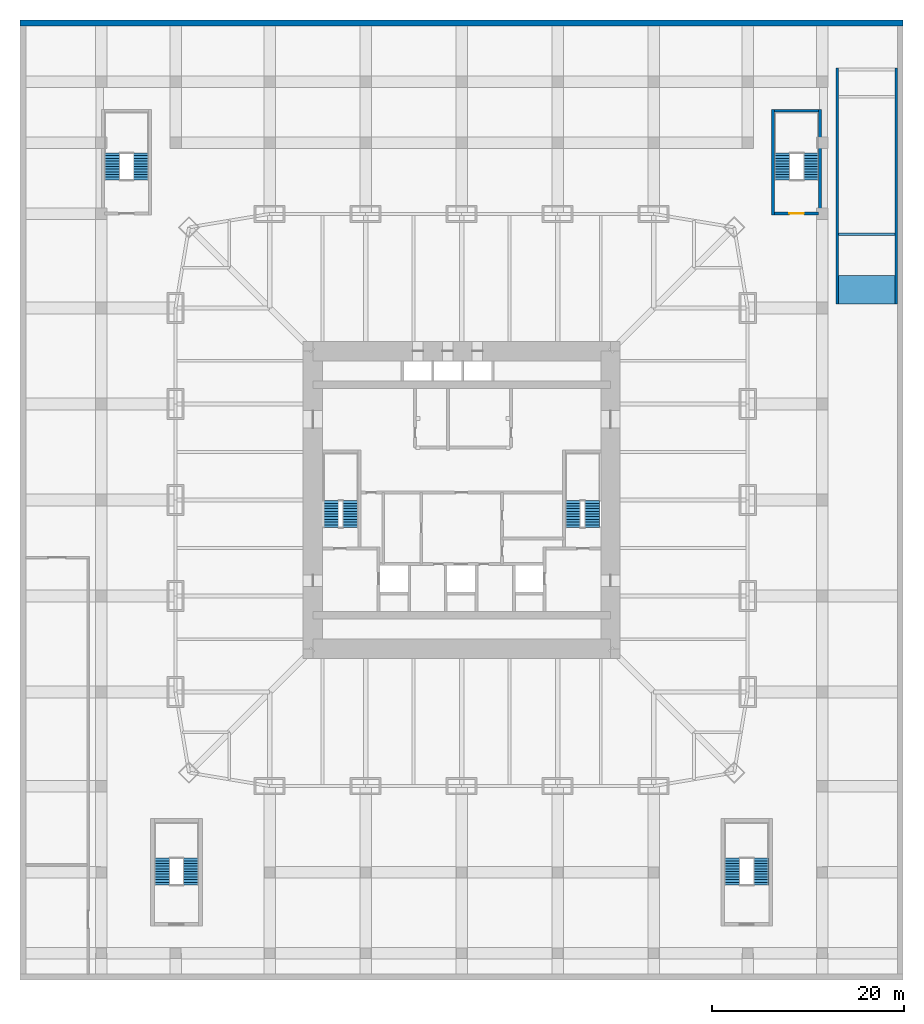
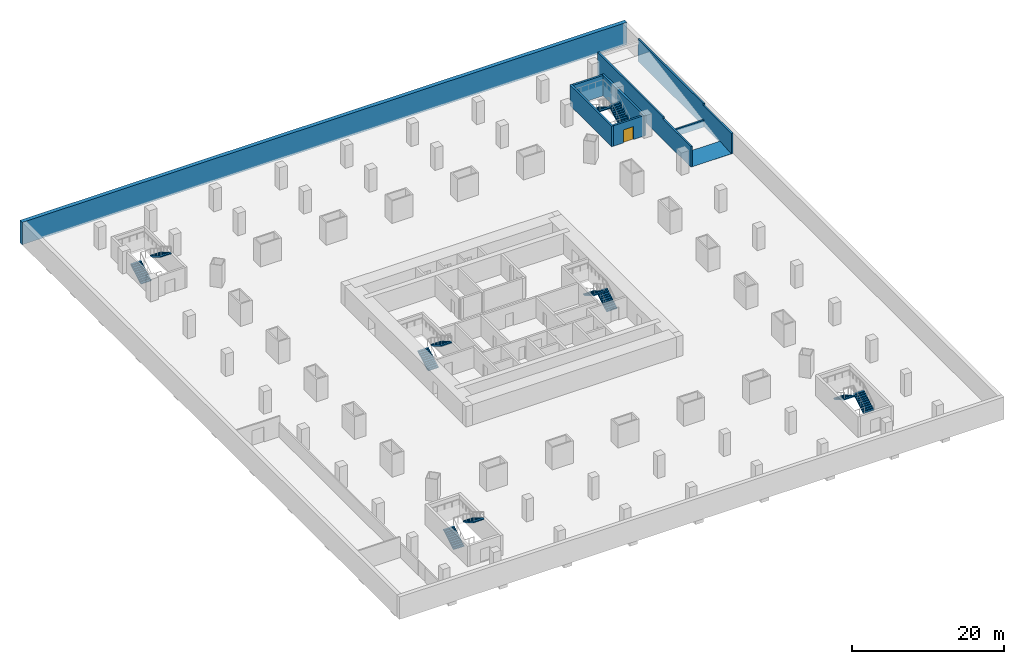
# One storey, part 9 of 11: 12 stair flights, 8 walls, 1 door, 1 ramp flight, 1 opening, 7 elements without a shape of their own.
"""IFC4 building model written with IfcOpenShell, lengths in metres."""

import ifcopenshell
import ifcopenshell.guid

model = None  # the IFC model being written
_history = None  # IfcOwnerHistory: only IFC2X3 demands one
_inside = {}  # id of a spatial element -> (the spatial element, [elements in it])
_under = {}  # id of a project, library or spatial element -> (it, [spatial elements below it])
_declared = {}  # id of a project -> (the project, [libraries it declares])
_typed = {}  # id of a type object -> (the type object, [elements of that type])
_made_of = {}  # id of a material, layer set ... -> (it, [elements and type objects made of it])


def new_model(schema):
    """Start an empty IFC model of exactly this schema.

    Asked for "IFC4X3", IfcOpenShell would pick the latest addendum, in which some entities
    have other attributes; the version numbers below select the first issue.
    IFC2X3 requires an IfcOwnerHistory on every rooted entity: one is made here for all.
    """
    global model, _history
    if schema == "IFC4X3":
        model = ifcopenshell.file(schema_version=(4, 3, 0, 0))
    else:
        model = ifcopenshell.file(schema=schema)
    _inside.clear()
    _under.clear()
    _declared.clear()
    _typed.clear()
    _made_of.clear()
    _history = None
    if model.schema == "IFC2X3":
        org = make("IfcOrganization", Name="unknown")
        user = make(
            "IfcPersonAndOrganization",
            ThePerson=make("IfcPerson", FamilyName="unknown"),
            TheOrganization=org,
        )
        app = make(
            "IfcApplication",
            ApplicationDeveloper=org,
            Version="unknown",
            ApplicationFullName="unknown",
            ApplicationIdentifier="unknown",
        )
        _history = make(
            "IfcOwnerHistory",
            OwningUser=user,
            OwningApplication=app,
            ChangeAction="ADDED",
            CreationDate=0,
        )
    return model


def make(cls, **values):
    """One entity of the class cls with the attributes given. An attribute that is None is left unset."""
    return model.create_entity(
        cls, **{name: value for name, value in values.items() if value is not None}
    )


def rooted(cls, **values):
    """An entity with a GlobalId (a new one), such as an element, a storey or a relation."""
    return make(cls, GlobalId=ifcopenshell.guid.new(), OwnerHistory=_history, **values)


def si_unit(unit_type, name, prefix=None):
    """IfcSIUnit, for example si_unit("LENGTHUNIT", "METRE", prefix="MILLI")."""
    return make("IfcSIUnit", UnitType=unit_type, Prefix=prefix, Name=name)


def assignment(units):
    """IfcUnitAssignment: the units of a project."""
    return None if units is None else make("IfcUnitAssignment", Units=units)


def point(xyz):
    """IfcCartesianPoint."""
    return None if xyz is None else make("IfcCartesianPoint", Coordinates=xyz)


def direction(xyz):
    """IfcDirection."""
    return None if xyz is None else make("IfcDirection", DirectionRatios=xyz)


def frame(location, z_axis=None, x_axis=None):
    """IfcAxis2Placement3D, a coordinate frame: its origin and axes. An axis left out is left unset."""
    return make(
        "IfcAxis2Placement3D",
        Location=point(location),
        Axis=direction(z_axis),
        RefDirection=direction(x_axis),
    )


def frame_2d(location, x_axis=None):
    """IfcAxis2Placement2D, a coordinate frame in the plane: its origin and x axis."""
    return make(
        "IfcAxis2Placement2D", Location=point(location), RefDirection=direction(x_axis)
    )


def origin():
    """The frame at (0, 0, 0) with its axes left unset."""
    return frame((0.0, 0.0, 0.0))


def place(relative_to, where):
    """IfcLocalPlacement: puts the frame where relative to a parent placement (None: the world)."""
    return make(
        "IfcLocalPlacement", PlacementRelTo=relative_to, RelativePlacement=where
    )


def context(
    kind, dimensions, precision=None, world=None, true_north=None, identifier=None
):
    """IfcGeometricRepresentationContext, for example the 3D "Model" context."""
    return make(
        "IfcGeometricRepresentationContext",
        ContextIdentifier=identifier,
        ContextType=kind,
        CoordinateSpaceDimension=dimensions,
        Precision=precision,
        WorldCoordinateSystem=world,
        TrueNorth=true_north,
    )


def subcontext(parent, identifier, kind, view, scale=None):
    """IfcGeometricRepresentationSubContext, for example "Body" below "Model"."""
    return make(
        "IfcGeometricRepresentationSubContext",
        ContextIdentifier=identifier,
        ContextType=kind,
        ParentContext=parent,
        TargetScale=scale,
        TargetView=view,
    )


def project(units=None, contexts=None):
    """IfcProject with its units and contexts."""
    return rooted(
        "IfcProject",
        Name="project",
        RepresentationContexts=contexts,
        UnitsInContext=assignment(units),
    )


def spatial(cls, under=None, at=None, **own):
    """A site, building, storey or space (cls), placed at a placement, below another one or the project."""
    s = rooted(cls, ObjectPlacement=at, **own)
    if under is not None:
        _under.setdefault(under.id(), (under, []))[1].append(s)
    return s


def polyline(points):
    """IfcPolyline through the points."""
    return make("IfcPolyline", Points=[point(p) for p in points])


def profile(cls, at=None, kind="AREA", **sizes):
    """A parametric profile (cls). Its sizes go by their IFC names, for example OverallWidth=200.0."""
    return make(cls, ProfileType=kind, Position=at, **sizes)


def rectangle(**sizes):
    """IfcRectangleProfileDef."""
    return profile("IfcRectangleProfileDef", **sizes)


def outline(outer, holes=None, kind="AREA"):
    """IfcArbitraryClosedProfileDef: a profile drawn as a closed curve; with holes, ...WithVoids."""
    if holes is None:
        return make("IfcArbitraryClosedProfileDef", ProfileType=kind, OuterCurve=outer)
    return make(
        "IfcArbitraryProfileDefWithVoids",
        ProfileType=kind,
        OuterCurve=outer,
        InnerCurves=holes,
    )


def extrude(swept, where, along, depth):
    """IfcExtrudedAreaSolid: the profile swept, set in the frame where, extruded along a direction by depth."""
    return make(
        "IfcExtrudedAreaSolid",
        SweptArea=swept,
        Position=where,
        ExtrudedDirection=direction(along),
        Depth=depth,
    )


def shape(context_of_items, identifier, shape_type, items):
    """IfcShapeRepresentation: the items that make up one representation, for example the "Body"."""
    return make(
        "IfcShapeRepresentation",
        ContextOfItems=context_of_items,
        RepresentationIdentifier=identifier,
        RepresentationType=shape_type,
        Items=items,
    )


def material(Name=None, Category=None):
    """IfcMaterial."""
    return make("IfcMaterial", Name=Name, Category=Category)


def layer(
    of_material, thickness, ventilated=None, Name=None, Category=None, Priority=None
):
    """IfcMaterialLayer: one layer of a wall or slab, of a material (None: an air gap)."""
    return make(
        "IfcMaterialLayer",
        Material=of_material,
        LayerThickness=thickness,
        IsVentilated=ventilated,
        Name=Name,
        Category=Category,
        Priority=Priority,
    )


def layer_set(layers, Name=None):
    """IfcMaterialLayerSet."""
    return make("IfcMaterialLayerSet", MaterialLayers=layers, LayerSetName=Name)


def made_of(thing, what):
    """Note that an element or type object is made of a material, layer set ...; save() writes the relation."""
    if what is not None:
        _made_of.setdefault(what.id(), (what, []))[1].append(thing)
    return thing


def type_object(cls, material=None, **own):
    """A type object (cls), such as IfcWallType, which elements share."""
    return made_of(rooted(cls, **own), material)


def element(
    cls,
    number,
    at=None,
    inside=None,
    cuts=None,
    type_object=None,
    material=None,
    context=None,
    identifier="Body",
    shape_type=None,
    held_by="IfcProductDefinitionShape",
    body=None,
    shapes=None,
    **own,
):
    """One element of the class cls, such as IfcWall. Its Tag is "e" and its number.

    at: its placement. inside: the storey or other place that contains it. cuts: it is an
    opening in that element (IfcRelVoidsElement). A single representation is given by context,
    identifier, shape_type and body (its items); several are given by shapes. held_by: the class
    of the entity that holds the representations. save() writes the other relations.
    """
    e = rooted(cls, Tag="e%d" % number, ObjectPlacement=at, **own)
    if body is not None:
        shapes = [shape(context, identifier, shape_type, body)]
    if shapes is not None:
        e.Representation = make(held_by, Representations=shapes)
    if inside is not None:
        _inside.setdefault(inside.id(), (inside, []))[1].append(e)
    if cuts is not None:
        rooted(
            "IfcRelVoidsElement", RelatingBuildingElement=cuts, RelatedOpeningElement=e
        )
    if type_object is not None:
        _typed.setdefault(type_object.id(), (type_object, []))[1].append(e)
    return made_of(e, material)


def fill(opening, filler):
    """IfcRelFillsElement: the door or window that sits in an opening."""
    return rooted(
        "IfcRelFillsElement",
        RelatingOpeningElement=opening,
        RelatedBuildingElement=filler,
    )


def aggregate(whole, parts):
    """IfcRelAggregates: a whole, such as a stair, and the parts it consists of."""
    return rooted("IfcRelAggregates", RelatingObject=whole, RelatedObjects=parts)


def save(model, path):
    """Write the relations noted so far, then the file.

    IfcRelAggregates (storeys below a building ...), IfcRelContainedInSpatialStructure (elements
    in a storey), IfcRelDefinesByType, IfcRelAssociatesMaterial and IfcRelDeclares: one each for
    every whole, place, type object, material and project.
    """
    for whole, parts in _under.values():
        aggregate(whole, parts)
    for where, things in _inside.values():
        rooted(
            "IfcRelContainedInSpatialStructure",
            RelatedElements=things,
            RelatingStructure=where,
        )
    for kind, things in _typed.values():
        rooted("IfcRelDefinesByType", RelatedObjects=things, RelatingType=kind)
    for what, things in _made_of.values():
        rooted("IfcRelAssociatesMaterial", RelatedObjects=things, RelatingMaterial=what)
    for by, libraries in _declared.values():
        rooted("IfcRelDeclares", RelatingContext=by, RelatedDefinitions=libraries)
    model.write(path)


model = new_model("IFC4")

# Units and contexts
model_context = context("Model", 3, precision=1e-05, world=origin(), true_north=direction((0.0, 1.0)))
body_context = subcontext(model_context, "Body", "Model", "MODEL_VIEW")
ifc_project = project(units=[si_unit("LENGTHUNIT", "METRE"), si_unit("AREAUNIT", "SQUARE_METRE"), si_unit("VOLUMEUNIT", "CUBIC_METRE"), si_unit("PLANEANGLEUNIT", "RADIAN"), si_unit("MASSUNIT", "GRAM", prefix="KILO")], contexts=[model_context])

# Site, building, storey
site_placement = place(None, origin())
site = spatial("IfcSite", under=ifc_project, at=site_placement, CompositionType="ELEMENT")
building_placement = place(site_placement, origin())
building = spatial("IfcBuilding", under=site, at=building_placement, Name="Khuree Lantern Residences", CompositionType="ELEMENT")
storey_placement = place(building_placement, frame((0.0, 0.0, -9.0)))
storey = spatial("IfcBuildingStorey", under=building, at=storey_placement, Name="B2", CompositionType="ELEMENT", Elevation=-9.0)

# Walls
ifc_material_1 = material(Name="Concrete C40/50", Category="concrete")
ifc_layer_1 = layer(ifc_material_1, 0.25)
ifc_layer_set_1 = layer_set([ifc_layer_1], Name="RAMP WALL RA 250")
wall_type_1 = type_object("IfcWallType", Name="RAMP WALL RA 250", PredefinedType="SOLIDWALL", material=ifc_layer_set_1)
for number, where, z_axis, x_axis, name in (
    (1, (39.125, 20.39990234375, 0.0), (0.0, 0.0, 1.0), (0.0, 1.0, 0.0), "Car park ramp, B1 to B2 side wall"),
    (2, (45.27490234375, 20.39990234375, 0.0), (0.0, 0.0, 1.0), (0.0, 1.0, 0.0), "Car park ramp, B1 to B2 side wall"),
):
    element("IfcWall", number, at=place(storey_placement, frame(where, z_axis=z_axis, x_axis=x_axis)), inside=storey, type_object=wall_type_1, Name=name, PredefinedType="SOLIDWALL", context=body_context, shape_type="SweptSolid", body=[
        extrude(outline(polyline([(0.0, 0.0), (24.60009765625, 0.0), (24.60009765625, 3.60009765625), (7.39990234375, 3.60009765625), (7.39990234375, 3.300048828125), (0.0, 3.300048828125), (0.0, 0.0)])), frame((0.0, 0.125, 0.0), z_axis=(0.0, -1.0, 0.0), x_axis=(1.0, 0.0, 0.0)), (0.0, 0.0, 1.0), 0.25),
    ])
wall_1_placement = place(storey_placement, frame((39.25, 27.675048828125, 0.0), z_axis=(0.0, 0.0, 1.0), x_axis=(1.0, 0.0, 0.0)))
element("IfcWall", 3, at=wall_1_placement, inside=storey, type_object=wall_type_1, Name="Ramp upstand S", PredefinedType="SOLIDWALL", context=body_context, shape_type="SweptSolid", body=[
    extrude(rectangle(XDim=5.89990234375, YDim=0.25, at=frame_2d((2.949951171875, 0.0))), origin(), (0.0, 0.0, 1.0), 1.10009765625),
])
ifc_layer_2 = layer(ifc_material_1, 0.60009765625)
ifc_layer_set_2 = layer_set([ifc_layer_2], Name="RW1 BASEMENT RETAINING WALL 600")
wall_type_2 = type_object("IfcWallType", Name="RW1 BASEMENT RETAINING WALL 600", PredefinedType="SOLIDWALL", material=ifc_layer_set_2)
wall_2_placement = place(storey_placement, frame((-46.0, 49.699951171875, -0.300048828125), z_axis=(0.0, 0.0, 1.0), x_axis=(1.0, 0.0, 0.0)))
element("IfcWall", 4, at=wall_2_placement, inside=storey, type_object=wall_type_2, Name="Retaining wall N", PredefinedType="SOLIDWALL", context=body_context, shape_type="SweptSolid", body=[
    extrude(rectangle(XDim=92.0, YDim=0.60009765625, at=frame_2d((46.0, 0.0))), origin(), (0.0, 0.0, 1.0), 3.60009765625),
])
ifc_material_2 = material(Name="Concrete C50/60", Category="concrete")
ifc_layer_3 = layer(ifc_material_2, 0.300048828125)
ifc_layer_set_3 = layer_set([ifc_layer_3], Name="STAIR WALL SRW300 C50/60 REI 240")
wall_type_3 = type_object("IfcWallType", Name="STAIR WALL SRW300 C50/60 REI 240", PredefinedType="SOLIDWALL", material=ifc_layer_set_3)
wall_3_placement = place(storey_placement, frame((37.35009765625, 29.699951171875, 0.0), z_axis=(0.0, 0.0, 1.0), x_axis=(0.0, 1.0, 0.0)))
element("IfcWall", 5, at=wall_3_placement, inside=storey, type_object=wall_type_3, Name="B2 STAIR ST4 WALL O", PredefinedType="SOLIDWALL", context=body_context, shape_type="SweptSolid", body=[
    extrude(rectangle(XDim=11.0, YDim=0.300048828125, at=frame_2d((5.5, 0.0))), origin(), (0.0, 0.0, 1.0), 3.300048828125),
])

# Wall, opening, door
wall_4_placement = place(storey_placement, frame((37.199951171875, 29.85009765625, 0.0), z_axis=(0.0, 0.0, 1.0), x_axis=(-1.0, 0.0, 0.0)))
wall_4 = element("IfcWall", 6, at=wall_4_placement, inside=storey, type_object=wall_type_3, Name="B2 STAIR ST4 WALL S", PredefinedType="SOLIDWALL", context=body_context, shape_type="SweptSolid", body=[
    extrude(rectangle(XDim=4.599853515625, YDim=0.300048828125, at=frame_2d((2.2998046875, 0.0))), origin(), (0.0, 0.0, 1.0), 3.300048828125),
])
opening_placement = place(wall_4_placement, frame((1.550048828125, 0.0, 0.0)))
opening = element("IfcOpeningElement", 7, at=opening_placement, cuts=wall_4, Name="Opening B2-025", PredefinedType="OPENING", context=body_context, shape_type="SweptSolid", body=[
    extrude(rectangle(XDim=1.5, YDim=2.10009765625, at=frame_2d((0.75, 1.050048828125))), frame((0.0, 0.16015625, 0.0), z_axis=(0.0, -1.0, 0.0), x_axis=(1.0, 0.0, 0.0)), (0.0, 0.0, 1.0), 0.320068359375),
])
ifc_material_3 = material(Name="Steel door leaf in steel frame", Category="steel")
door_type = type_object("IfcDoorType", Name="STAIR DOOR 1500X2100 EI 120", OperationType="DOUBLE_DOOR_SINGLE_SWING", PredefinedType="DOOR", material=ifc_material_3)
door_placement = place(opening_placement, origin())
door = element("IfcDoor", 8, at=door_placement, inside=storey, type_object=door_type, Name="Stair ST4 door B2-025", OperationType="DOUBLE_DOOR_SINGLE_SWING", OverallHeight=2.10009765625, OverallWidth=1.5, PredefinedType="DOOR", context=body_context, shape_type="SweptSolid", body=[
    extrude(rectangle(XDim=1.5, YDim=2.10009765625, at=frame_2d((0.75, 1.050048828125))), frame((0.0, 0.02490234375, 0.0), z_axis=(0.0, -1.0, 0.0), x_axis=(1.0, 0.0, 0.0)), (0.0, 0.0, 1.0), 0.050048828125),
])
fill(opening, door)

# Walls
wall_5_placement = place(storey_placement, frame((32.449951171875, 29.699951171875, 0.0), z_axis=(0.0, 0.0, 1.0), x_axis=(0.0, 1.0, 0.0)))
element("IfcWall", 9, at=wall_5_placement, inside=storey, type_object=wall_type_3, Name="B2 STAIR ST4 WALL I", PredefinedType="SOLIDWALL", context=body_context, shape_type="SweptSolid", body=[
    extrude(rectangle(XDim=11.0, YDim=0.300048828125, at=frame_2d((5.5, 0.0))), origin(), (0.0, 0.0, 1.0), 3.300048828125),
])
wall_6_placement = place(storey_placement, frame((37.199951171875, 40.550048828125, 0.0), z_axis=(0.0, 0.0, 1.0), x_axis=(-1.0, 0.0, 0.0)))
element("IfcWall", 10, at=wall_6_placement, inside=storey, type_object=wall_type_3, Name="B2 STAIR ST4 WALL N", PredefinedType="SOLIDWALL", context=body_context, shape_type="SweptSolid", body=[
    extrude(rectangle(XDim=4.599853515625, YDim=0.300048828125, at=frame_2d((2.2998046875, 0.0))), origin(), (0.0, 0.0, 1.0), 3.300048828125),
])

# Stair, stair flights
stair_type_1 = type_object("IfcStairType", Name="STAIR ST1 HALF TURN 3600", PredefinedType="HALF_TURN_STAIR", material=ifc_material_1)
stair_1_placement = place(storey_placement, origin())
stair_1 = element("IfcStair", 11, at=stair_1_placement, inside=storey, type_object=stair_type_1, Name="Stair ST1", PredefinedType="HALF_TURN_STAIR")
stair_flight_type = type_object("IfcStairFlightType", Name="STAIR FLIGHT SF1 1600", PredefinedType="STRAIGHT", material=ifc_material_1)
stair_flight_1_placement = place(storey_placement, frame((-13.60009765625, -2.860107421875, 0.0), z_axis=(0.0, 0.0, 1.0), x_axis=(0.0, 1.0, 0.0)))
stair_flight_1 = element("IfcStairFlight", 12, at=stair_flight_1_placement, type_object=stair_flight_type, Name="ST1 flight 1", NumberOfRisers=11, NumberOfTreads=10, PredefinedType="STRAIGHT", RiserHeight=0.163636364, TreadLength=0.28, context=body_context, shape_type="SweptSolid", body=[
    extrude(outline(polyline([(0.0, 0.0), (0.0, 0.16357421875), (0.280029296875, 0.16357421875), (0.280029296875, 0.327392578125), (0.56005859375, 0.327392578125), (0.56005859375, 0.490966796875), (0.840087890625, 0.490966796875), (0.840087890625, 0.654541015625), (1.1201171875, 0.654541015625), (1.1201171875, 0.818115234375), (1.39990234375, 0.818115234375), (1.39990234375, 0.98193359375), (1.679931640625, 0.98193359375), (1.679931640625, 1.1455078125), (1.9599609375, 1.1455078125), (1.9599609375, 1.30908203125), (2.239990234375, 1.30908203125), (2.239990234375, 1.47265625), (2.52001953125, 1.47265625), (2.52001953125, 1.636474609375), (2.800048828125, 1.636474609375), (2.800048828125, 1.800048828125), (2.800048828125, 1.462646484375), (0.297119140625, 0.0), (0.0, 0.0)])), frame((0.0, 0.800048828125, 0.0), z_axis=(0.0, -1.0, 0.0), x_axis=(1.0, 0.0, 0.0)), (0.0, 0.0, 1.0), 1.60009765625),
])
stair_flight_2_placement = place(storey_placement, frame((-11.60009765625, -0.06005859375, 1.800048828125), z_axis=(0.0, 0.0, 1.0), x_axis=(0.0, -1.0, 0.0)))
stair_flight_2 = element("IfcStairFlight", 13, at=stair_flight_2_placement, type_object=stair_flight_type, Name="ST1 flight 2", NumberOfRisers=11, NumberOfTreads=10, PredefinedType="STRAIGHT", RiserHeight=0.163636364, TreadLength=0.28, context=body_context, shape_type="SweptSolid", body=[
    extrude(outline(polyline([(0.0, 0.0), (0.0, 0.16357421875), (0.280029296875, 0.16357421875), (0.280029296875, 0.327392578125), (0.56005859375, 0.327392578125), (0.56005859375, 0.490966796875), (0.840087890625, 0.490966796875), (0.840087890625, 0.654541015625), (1.1201171875, 0.654541015625), (1.1201171875, 0.818115234375), (1.39990234375, 0.818115234375), (1.39990234375, 0.98193359375), (1.679931640625, 0.98193359375), (1.679931640625, 1.1455078125), (1.9599609375, 1.1455078125), (1.9599609375, 1.30908203125), (2.239990234375, 1.30908203125), (2.239990234375, 1.47265625), (2.52001953125, 1.47265625), (2.52001953125, 1.636474609375), (2.800048828125, 1.636474609375), (2.800048828125, 1.800048828125), (2.800048828125, 1.462646484375), (0.297119140625, 0.0), (0.0, 0.0)])), frame((0.0, 0.800048828125, 0.0), z_axis=(0.0, -1.0, 0.0), x_axis=(1.0, 0.0, 0.0)), (0.0, 0.0, 1.0), 1.60009765625),
])
aggregate(stair_1, [stair_flight_1, stair_flight_2])

stair_2_placement = place(storey_placement, origin())
stair_2 = element("IfcStair", 14, at=stair_2_placement, inside=storey, type_object=stair_type_1, Name="Stair ST2", PredefinedType="HALF_TURN_STAIR")
stair_flight_3_placement = place(storey_placement, frame((13.60009765625, -2.860107421875, 0.0), z_axis=(0.0, 0.0, 1.0), x_axis=(0.0, 1.0, 0.0)))
stair_flight_3 = element("IfcStairFlight", 15, at=stair_flight_3_placement, type_object=stair_flight_type, Name="ST2 flight 1", NumberOfRisers=11, NumberOfTreads=10, PredefinedType="STRAIGHT", RiserHeight=0.163636364, TreadLength=0.28, context=body_context, shape_type="SweptSolid", body=[
    extrude(outline(polyline([(0.0, 0.0), (0.0, 0.16357421875), (0.280029296875, 0.16357421875), (0.280029296875, 0.327392578125), (0.56005859375, 0.327392578125), (0.56005859375, 0.490966796875), (0.840087890625, 0.490966796875), (0.840087890625, 0.654541015625), (1.1201171875, 0.654541015625), (1.1201171875, 0.818115234375), (1.39990234375, 0.818115234375), (1.39990234375, 0.98193359375), (1.679931640625, 0.98193359375), (1.679931640625, 1.1455078125), (1.9599609375, 1.1455078125), (1.9599609375, 1.30908203125), (2.239990234375, 1.30908203125), (2.239990234375, 1.47265625), (2.52001953125, 1.47265625), (2.52001953125, 1.636474609375), (2.800048828125, 1.636474609375), (2.800048828125, 1.800048828125), (2.800048828125, 1.462646484375), (0.297119140625, 0.0), (0.0, 0.0)])), frame((0.0, 0.800048828125, 0.0), z_axis=(0.0, -1.0, 0.0), x_axis=(1.0, 0.0, 0.0)), (0.0, 0.0, 1.0), 1.60009765625),
])
stair_flight_4_placement = place(storey_placement, frame((11.60009765625, -0.06005859375, 1.800048828125), z_axis=(0.0, 0.0, 1.0), x_axis=(0.0, -1.0, 0.0)))
stair_flight_4 = element("IfcStairFlight", 16, at=stair_flight_4_placement, type_object=stair_flight_type, Name="ST2 flight 2", NumberOfRisers=11, NumberOfTreads=10, PredefinedType="STRAIGHT", RiserHeight=0.163636364, TreadLength=0.28, context=body_context, shape_type="SweptSolid", body=[
    extrude(outline(polyline([(0.0, 0.0), (0.0, 0.16357421875), (0.280029296875, 0.16357421875), (0.280029296875, 0.327392578125), (0.56005859375, 0.327392578125), (0.56005859375, 0.490966796875), (0.840087890625, 0.490966796875), (0.840087890625, 0.654541015625), (1.1201171875, 0.654541015625), (1.1201171875, 0.818115234375), (1.39990234375, 0.818115234375), (1.39990234375, 0.98193359375), (1.679931640625, 0.98193359375), (1.679931640625, 1.1455078125), (1.9599609375, 1.1455078125), (1.9599609375, 1.30908203125), (2.239990234375, 1.30908203125), (2.239990234375, 1.47265625), (2.52001953125, 1.47265625), (2.52001953125, 1.636474609375), (2.800048828125, 1.636474609375), (2.800048828125, 1.800048828125), (2.800048828125, 1.462646484375), (0.297119140625, 0.0), (0.0, 0.0)])), frame((0.0, 0.800048828125, 0.0), z_axis=(0.0, -1.0, 0.0), x_axis=(1.0, 0.0, 0.0)), (0.0, 0.0, 1.0), 1.60009765625),
])
aggregate(stair_2, [stair_flight_3, stair_flight_4])

stair_type_2 = type_object("IfcStairType", Name="STAIR ST3 HALF TURN 4600", PredefinedType="HALF_TURN_STAIR", material=ifc_material_1)
stair_3_placement = place(storey_placement, origin())
stair_3 = element("IfcStair", 17, at=stair_3_placement, inside=storey, type_object=stair_type_2, Name="Stair ST5", PredefinedType="HALF_TURN_STAIR")
stair_flight_5_placement = place(storey_placement, frame((-31.199951171875, -40.10009765625, 0.0), z_axis=(0.0, 0.0, 1.0), x_axis=(0.0, 1.0, 0.0)))
stair_flight_5 = element("IfcStairFlight", 18, at=stair_flight_5_placement, type_object=stair_flight_type, Name="ST5 flight 1", NumberOfRisers=11, NumberOfTreads=10, PredefinedType="STRAIGHT", RiserHeight=0.163636364, TreadLength=0.28, context=body_context, shape_type="SweptSolid", body=[
    extrude(outline(polyline([(0.0, 0.0), (0.0, 0.16357421875), (0.280029296875, 0.16357421875), (0.280029296875, 0.327392578125), (0.56005859375, 0.327392578125), (0.56005859375, 0.490966796875), (0.840087890625, 0.490966796875), (0.840087890625, 0.654541015625), (1.1201171875, 0.654541015625), (1.1201171875, 0.818115234375), (1.39990234375, 0.818115234375), (1.39990234375, 0.98193359375), (1.679931640625, 0.98193359375), (1.679931640625, 1.1455078125), (1.9599609375, 1.1455078125), (1.9599609375, 1.30908203125), (2.239990234375, 1.30908203125), (2.239990234375, 1.47265625), (2.52001953125, 1.47265625), (2.52001953125, 1.636474609375), (2.800048828125, 1.636474609375), (2.800048828125, 1.800048828125), (2.800048828125, 1.462646484375), (0.297119140625, 0.0), (0.0, 0.0)])), frame((0.0, 0.800048828125, 0.0), z_axis=(0.0, -1.0, 0.0), x_axis=(1.0, 0.0, 0.0)), (0.0, 0.0, 1.0), 1.60009765625),
])
stair_flight_6_placement = place(storey_placement, frame((-28.199951171875, -37.300048828125, 1.800048828125), z_axis=(0.0, 0.0, 1.0), x_axis=(0.0, -1.0, 0.0)))
stair_flight_6 = element("IfcStairFlight", 19, at=stair_flight_6_placement, type_object=stair_flight_type, Name="ST5 flight 2", NumberOfRisers=11, NumberOfTreads=10, PredefinedType="STRAIGHT", RiserHeight=0.163636364, TreadLength=0.28, context=body_context, shape_type="SweptSolid", body=[
    extrude(outline(polyline([(0.0, 0.0), (0.0, 0.16357421875), (0.280029296875, 0.16357421875), (0.280029296875, 0.327392578125), (0.56005859375, 0.327392578125), (0.56005859375, 0.490966796875), (0.840087890625, 0.490966796875), (0.840087890625, 0.654541015625), (1.1201171875, 0.654541015625), (1.1201171875, 0.818115234375), (1.39990234375, 0.818115234375), (1.39990234375, 0.98193359375), (1.679931640625, 0.98193359375), (1.679931640625, 1.1455078125), (1.9599609375, 1.1455078125), (1.9599609375, 1.30908203125), (2.239990234375, 1.30908203125), (2.239990234375, 1.47265625), (2.52001953125, 1.47265625), (2.52001953125, 1.636474609375), (2.800048828125, 1.636474609375), (2.800048828125, 1.800048828125), (2.800048828125, 1.462646484375), (0.297119140625, 0.0), (0.0, 0.0)])), frame((0.0, 0.800048828125, 0.0), z_axis=(0.0, -1.0, 0.0), x_axis=(1.0, 0.0, 0.0)), (0.0, 0.0, 1.0), 1.60009765625),
])
aggregate(stair_3, [stair_flight_5, stair_flight_6])

stair_4_placement = place(storey_placement, origin())
stair_4 = element("IfcStair", 20, at=stair_4_placement, inside=storey, type_object=stair_type_2, Name="Stair ST6", PredefinedType="HALF_TURN_STAIR")
stair_flight_7_placement = place(storey_placement, frame((31.199951171875, -40.10009765625, 0.0), z_axis=(0.0, 0.0, 1.0), x_axis=(0.0, 1.0, 0.0)))
stair_flight_7 = element("IfcStairFlight", 21, at=stair_flight_7_placement, type_object=stair_flight_type, Name="ST6 flight 1", NumberOfRisers=11, NumberOfTreads=10, PredefinedType="STRAIGHT", RiserHeight=0.163636364, TreadLength=0.28, context=body_context, shape_type="SweptSolid", body=[
    extrude(outline(polyline([(0.0, 0.0), (0.0, 0.16357421875), (0.280029296875, 0.16357421875), (0.280029296875, 0.327392578125), (0.56005859375, 0.327392578125), (0.56005859375, 0.490966796875), (0.840087890625, 0.490966796875), (0.840087890625, 0.654541015625), (1.1201171875, 0.654541015625), (1.1201171875, 0.818115234375), (1.39990234375, 0.818115234375), (1.39990234375, 0.98193359375), (1.679931640625, 0.98193359375), (1.679931640625, 1.1455078125), (1.9599609375, 1.1455078125), (1.9599609375, 1.30908203125), (2.239990234375, 1.30908203125), (2.239990234375, 1.47265625), (2.52001953125, 1.47265625), (2.52001953125, 1.636474609375), (2.800048828125, 1.636474609375), (2.800048828125, 1.800048828125), (2.800048828125, 1.462646484375), (0.297119140625, 0.0), (0.0, 0.0)])), frame((0.0, 0.800048828125, 0.0), z_axis=(0.0, -1.0, 0.0), x_axis=(1.0, 0.0, 0.0)), (0.0, 0.0, 1.0), 1.60009765625),
])
stair_flight_8_placement = place(storey_placement, frame((28.199951171875, -37.300048828125, 1.800048828125), z_axis=(0.0, 0.0, 1.0), x_axis=(0.0, -1.0, 0.0)))
stair_flight_8 = element("IfcStairFlight", 22, at=stair_flight_8_placement, type_object=stair_flight_type, Name="ST6 flight 2", NumberOfRisers=11, NumberOfTreads=10, PredefinedType="STRAIGHT", RiserHeight=0.163636364, TreadLength=0.28, context=body_context, shape_type="SweptSolid", body=[
    extrude(outline(polyline([(0.0, 0.0), (0.0, 0.16357421875), (0.280029296875, 0.16357421875), (0.280029296875, 0.327392578125), (0.56005859375, 0.327392578125), (0.56005859375, 0.490966796875), (0.840087890625, 0.490966796875), (0.840087890625, 0.654541015625), (1.1201171875, 0.654541015625), (1.1201171875, 0.818115234375), (1.39990234375, 0.818115234375), (1.39990234375, 0.98193359375), (1.679931640625, 0.98193359375), (1.679931640625, 1.1455078125), (1.9599609375, 1.1455078125), (1.9599609375, 1.30908203125), (2.239990234375, 1.30908203125), (2.239990234375, 1.47265625), (2.52001953125, 1.47265625), (2.52001953125, 1.636474609375), (2.800048828125, 1.636474609375), (2.800048828125, 1.800048828125), (2.800048828125, 1.462646484375), (0.297119140625, 0.0), (0.0, 0.0)])), frame((0.0, 0.800048828125, 0.0), z_axis=(0.0, -1.0, 0.0), x_axis=(1.0, 0.0, 0.0)), (0.0, 0.0, 1.0), 1.60009765625),
])
aggregate(stair_4, [stair_flight_7, stair_flight_8])

stair_5_placement = place(storey_placement, origin())
stair_5 = element("IfcStair", 23, at=stair_5_placement, inside=storey, type_object=stair_type_2, Name="Stair ST3", PredefinedType="HALF_TURN_STAIR")
stair_flight_9_placement = place(storey_placement, frame((-36.39990234375, 33.340087890625, 0.0), z_axis=(0.0, 0.0, 1.0), x_axis=(0.0, 1.0, 0.0)))
stair_flight_9 = element("IfcStairFlight", 24, at=stair_flight_9_placement, type_object=stair_flight_type, Name="ST3 flight 1", NumberOfRisers=11, NumberOfTreads=10, PredefinedType="STRAIGHT", RiserHeight=0.163636364, TreadLength=0.28, context=body_context, shape_type="SweptSolid", body=[
    extrude(outline(polyline([(0.0, 0.0), (0.0, 0.16357421875), (0.280029296875, 0.16357421875), (0.280029296875, 0.327392578125), (0.56005859375, 0.327392578125), (0.56005859375, 0.490966796875), (0.840087890625, 0.490966796875), (0.840087890625, 0.654541015625), (1.1201171875, 0.654541015625), (1.1201171875, 0.818115234375), (1.39990234375, 0.818115234375), (1.39990234375, 0.98193359375), (1.679931640625, 0.98193359375), (1.679931640625, 1.1455078125), (1.9599609375, 1.1455078125), (1.9599609375, 1.30908203125), (2.239990234375, 1.30908203125), (2.239990234375, 1.47265625), (2.52001953125, 1.47265625), (2.52001953125, 1.636474609375), (2.800048828125, 1.636474609375), (2.800048828125, 1.800048828125), (2.800048828125, 1.462646484375), (0.297119140625, 0.0), (0.0, 0.0)])), frame((0.0, 0.800048828125, 0.0), z_axis=(0.0, -1.0, 0.0), x_axis=(1.0, 0.0, 0.0)), (0.0, 0.0, 1.0), 1.60009765625),
])
stair_flight_10_placement = place(storey_placement, frame((-33.39990234375, 36.139892578125, 1.800048828125), z_axis=(0.0, 0.0, 1.0), x_axis=(0.0, -1.0, 0.0)))
stair_flight_10 = element("IfcStairFlight", 25, at=stair_flight_10_placement, type_object=stair_flight_type, Name="ST3 flight 2", NumberOfRisers=11, NumberOfTreads=10, PredefinedType="STRAIGHT", RiserHeight=0.163636364, TreadLength=0.28, context=body_context, shape_type="SweptSolid", body=[
    extrude(outline(polyline([(0.0, 0.0), (0.0, 0.16357421875), (0.280029296875, 0.16357421875), (0.280029296875, 0.327392578125), (0.56005859375, 0.327392578125), (0.56005859375, 0.490966796875), (0.840087890625, 0.490966796875), (0.840087890625, 0.654541015625), (1.1201171875, 0.654541015625), (1.1201171875, 0.818115234375), (1.39990234375, 0.818115234375), (1.39990234375, 0.98193359375), (1.679931640625, 0.98193359375), (1.679931640625, 1.1455078125), (1.9599609375, 1.1455078125), (1.9599609375, 1.30908203125), (2.239990234375, 1.30908203125), (2.239990234375, 1.47265625), (2.52001953125, 1.47265625), (2.52001953125, 1.636474609375), (2.800048828125, 1.636474609375), (2.800048828125, 1.800048828125), (2.800048828125, 1.462646484375), (0.297119140625, 0.0), (0.0, 0.0)])), frame((0.0, 0.800048828125, 0.0), z_axis=(0.0, -1.0, 0.0), x_axis=(1.0, 0.0, 0.0)), (0.0, 0.0, 1.0), 1.60009765625),
])
aggregate(stair_5, [stair_flight_9, stair_flight_10])

stair_6_placement = place(storey_placement, origin())
stair_6 = element("IfcStair", 26, at=stair_6_placement, inside=storey, type_object=stair_type_2, Name="Stair ST4", PredefinedType="HALF_TURN_STAIR")
stair_flight_11_placement = place(storey_placement, frame((36.39990234375, 33.340087890625, 0.0), z_axis=(0.0, 0.0, 1.0), x_axis=(0.0, 1.0, 0.0)))
stair_flight_11 = element("IfcStairFlight", 27, at=stair_flight_11_placement, type_object=stair_flight_type, Name="ST4 flight 1", NumberOfRisers=11, NumberOfTreads=10, PredefinedType="STRAIGHT", RiserHeight=0.163636364, TreadLength=0.28, context=body_context, shape_type="SweptSolid", body=[
    extrude(outline(polyline([(0.0, 0.0), (0.0, 0.16357421875), (0.280029296875, 0.16357421875), (0.280029296875, 0.327392578125), (0.56005859375, 0.327392578125), (0.56005859375, 0.490966796875), (0.840087890625, 0.490966796875), (0.840087890625, 0.654541015625), (1.1201171875, 0.654541015625), (1.1201171875, 0.818115234375), (1.39990234375, 0.818115234375), (1.39990234375, 0.98193359375), (1.679931640625, 0.98193359375), (1.679931640625, 1.1455078125), (1.9599609375, 1.1455078125), (1.9599609375, 1.30908203125), (2.239990234375, 1.30908203125), (2.239990234375, 1.47265625), (2.52001953125, 1.47265625), (2.52001953125, 1.636474609375), (2.800048828125, 1.636474609375), (2.800048828125, 1.800048828125), (2.800048828125, 1.462646484375), (0.297119140625, 0.0), (0.0, 0.0)])), frame((0.0, 0.800048828125, 0.0), z_axis=(0.0, -1.0, 0.0), x_axis=(1.0, 0.0, 0.0)), (0.0, 0.0, 1.0), 1.60009765625),
])
stair_flight_12_placement = place(storey_placement, frame((33.39990234375, 36.139892578125, 1.800048828125), z_axis=(0.0, 0.0, 1.0), x_axis=(0.0, -1.0, 0.0)))
stair_flight_12 = element("IfcStairFlight", 28, at=stair_flight_12_placement, type_object=stair_flight_type, Name="ST4 flight 2", NumberOfRisers=11, NumberOfTreads=10, PredefinedType="STRAIGHT", RiserHeight=0.163636364, TreadLength=0.28, context=body_context, shape_type="SweptSolid", body=[
    extrude(outline(polyline([(0.0, 0.0), (0.0, 0.16357421875), (0.280029296875, 0.16357421875), (0.280029296875, 0.327392578125), (0.56005859375, 0.327392578125), (0.56005859375, 0.490966796875), (0.840087890625, 0.490966796875), (0.840087890625, 0.654541015625), (1.1201171875, 0.654541015625), (1.1201171875, 0.818115234375), (1.39990234375, 0.818115234375), (1.39990234375, 0.98193359375), (1.679931640625, 0.98193359375), (1.679931640625, 1.1455078125), (1.9599609375, 1.1455078125), (1.9599609375, 1.30908203125), (2.239990234375, 1.30908203125), (2.239990234375, 1.47265625), (2.52001953125, 1.47265625), (2.52001953125, 1.636474609375), (2.800048828125, 1.636474609375), (2.800048828125, 1.800048828125), (2.800048828125, 1.462646484375), (0.297119140625, 0.0), (0.0, 0.0)])), frame((0.0, 0.800048828125, 0.0), z_axis=(0.0, -1.0, 0.0), x_axis=(1.0, 0.0, 0.0)), (0.0, 0.0, 1.0), 1.60009765625),
])
aggregate(stair_6, [stair_flight_11, stair_flight_12])

# Ramp, ramp flight
ramp_placement = place(storey_placement, origin())
ramp = element("IfcRamp", 29, at=ramp_placement, inside=storey, Name="Car park ramp, B1 to B2", PredefinedType="STRAIGHT_RUN_RAMP")
ramp_flight_placement = place(storey_placement, frame((42.199951171875, 23.39990234375, 0.0), z_axis=(0.0, 0.0, 1.0), x_axis=(0.0, -1.0, 0.0)))
ramp_flight = element("IfcRampFlight", 30, at=ramp_flight_placement, material=ifc_material_1, Name="Car park ramp, B1 to B2 flight 3", PredefinedType="STRAIGHT", context=body_context, shape_type="SweptSolid", body=[
    extrude(outline(polyline([(0.0, 0.0), (3.0, 0.0), (3.0, 0.010009765625), (0.0, 0.25), (0.0, 0.0)])), frame((0.0, 2.949951171875, 0.0), z_axis=(0.0, -1.0, 0.0), x_axis=(1.0, 0.0, 0.0)), (0.0, 0.0, 1.0), 5.89990234375),
])
aggregate(ramp, [ramp_flight])

save(model, "model.ifc")
